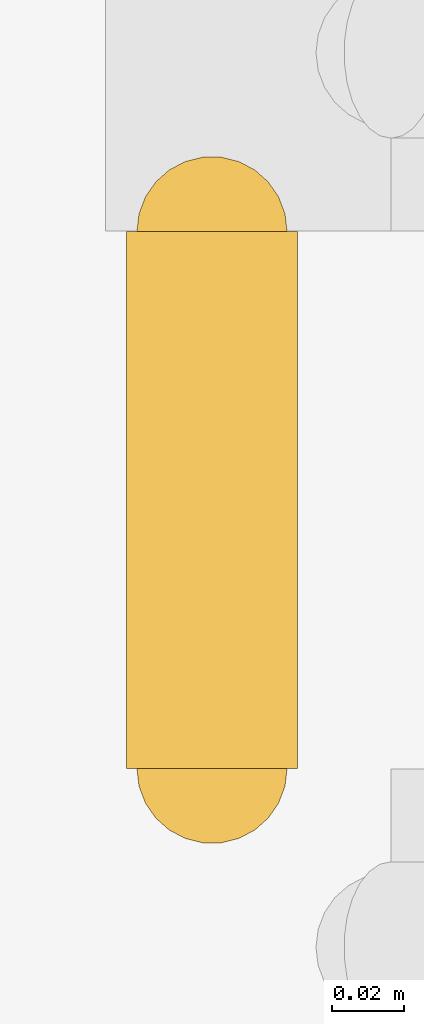
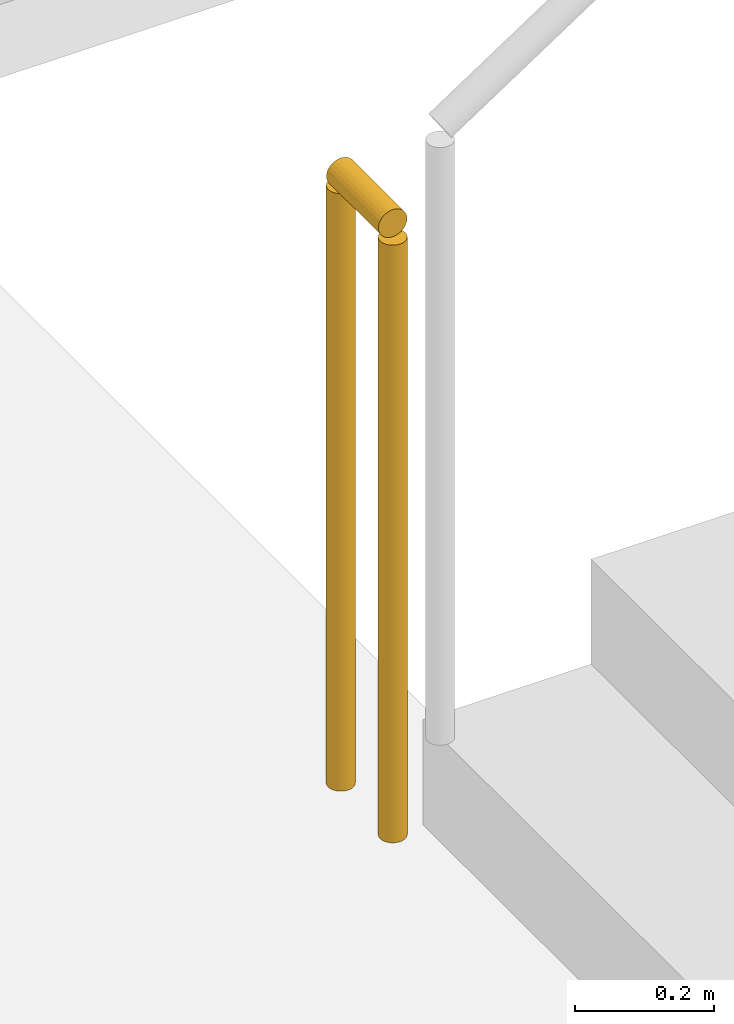
# One storey, part 60 of 66: 1 railing.
"""IFC4 building model written with IfcOpenShell, lengths in metres."""

from ifc_helpers import new_model, si_unit, direction, frame, origin, origin_2d, place, context, subcontext, project, spatial, circle, extrude, material, type_object, element, save


model = new_model("IFC4")

# Units and contexts
model_context = context("Model", 3, precision=1e-05, world=origin(), true_north=direction((0.0, 1.0)))
body_context = subcontext(model_context, "Body", "Model", "MODEL_VIEW")
ifc_project = project(units=[si_unit("LENGTHUNIT", "METRE"), si_unit("AREAUNIT", "SQUARE_METRE"), si_unit("VOLUMEUNIT", "CUBIC_METRE"), si_unit("PLANEANGLEUNIT", "RADIAN"), si_unit("MASSUNIT", "GRAM", prefix="KILO")], contexts=[model_context])

# Site, building, storey
site_placement = place(None, origin())
site = spatial("IfcSite", under=ifc_project, at=site_placement, CompositionType="ELEMENT")
building_placement = place(site_placement, origin())
building = spatial("IfcBuilding", under=site, at=building_placement, Name="Mirzam Square Science Centre", CompositionType="ELEMENT")
storey_placement = place(building_placement, frame((0.0, 0.0, 15.60009765625)))
storey = spatial("IfcBuildingStorey", under=building, at=storey_placement, Name="L03", CompositionType="ELEMENT", Elevation=15.60009765625)

# Railing
ifc_material = material(Name="Bronze-Anodised Architectural Balustrade", Category="aluminium")
railing_type = type_object("IfcRailingType", Name="RL-INT-GUARD-1100", PredefinedType="GUARDRAIL", material=ifc_material)
railing_placement = place(storey_placement, frame((142.679931640625, 52.330078125, 0.0)))
element("IfcRailing", 1, at=railing_placement, inside=storey, type_object=railing_type, Name="L03 ST-05 stair guard 4", PredefinedType="GUARDRAIL", context=body_context, shape_type="SweptSolid", body=[
    extrude(circle(Radius=0.02392578125, at=origin_2d()), frame((0.0, 0.0, 1.076171875), z_axis=(0.0, 1.0, 0.0), x_axis=(-1.0, 0.0, 0.0)), (0.0, 0.0, 1.0), 0.14990234375),
    extrude(circle(Radius=0.02099609375, at=origin_2d()), origin(), (0.0, 0.0, 1.0), 1.052001953125),
    extrude(circle(Radius=0.02099609375, at=origin_2d()), frame((0.0, 0.14990234375, 0.0)), (0.0, 0.0, 1.0), 1.052001953125),
])

save(model, "model.ifc")
